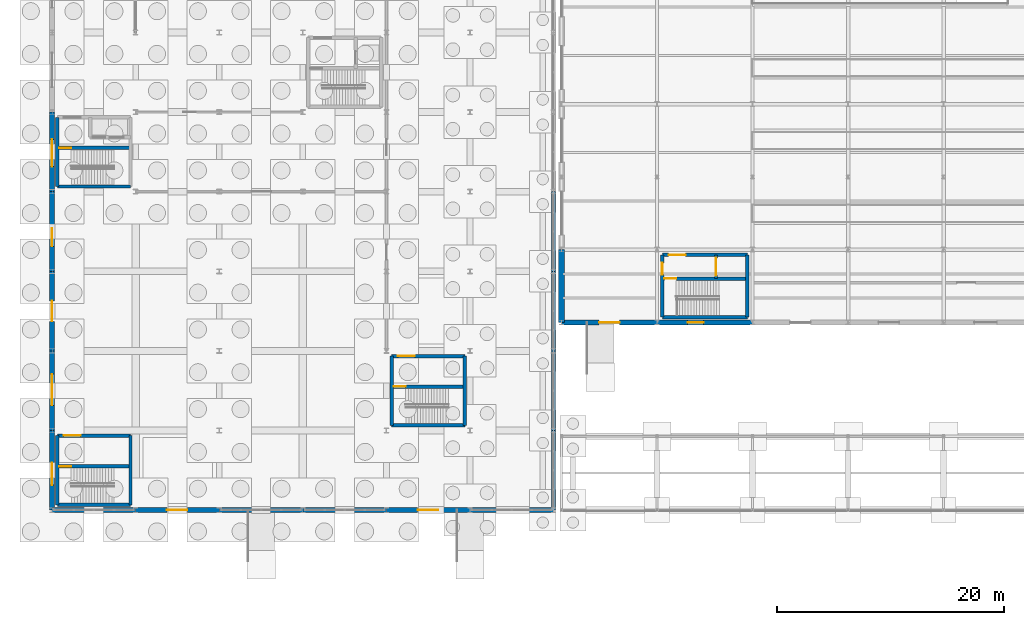
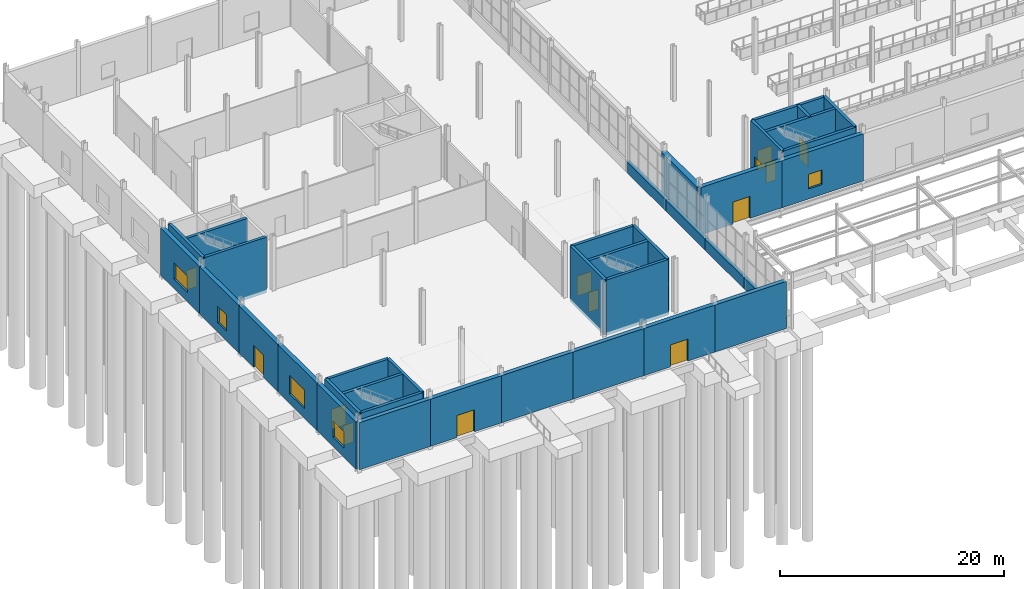
# One storey, part 119 of 139: 37 walls, 13 doors, 5 windows, 18 openings.
"""IFC4 building model written with IfcOpenShell, lengths in metres."""

from ifc_helpers import new_model, si_unit, direction, frame, frame_2d, origin, origin_with_axes, place, context, subcontext, project, spatial, rectangle, extrude, material, layer, layer_set, type_object, element, fill, save


model = new_model("IFC4")

# Units and contexts
model_context = context("Model", 3, precision=1e-05, world=origin(), true_north=direction((0.0, 1.0)))
body_context = subcontext(model_context, "Body", "Model", "MODEL_VIEW")
ifc_project = project(units=[si_unit("LENGTHUNIT", "METRE"), si_unit("AREAUNIT", "SQUARE_METRE"), si_unit("VOLUMEUNIT", "CUBIC_METRE"), si_unit("PLANEANGLEUNIT", "RADIAN"), si_unit("MASSUNIT", "GRAM", prefix="KILO")], contexts=[model_context])

# Site, building, storey
site_placement = place(None, origin())
site = spatial("IfcSite", under=ifc_project, at=site_placement, CompositionType="ELEMENT")
building_placement = place(site_placement, origin())
building = spatial("IfcBuilding", under=site, at=building_placement, Name="Kazenagashi Tramway Depot", CompositionType="ELEMENT")
storey_placement = place(building_placement, origin())
storey = spatial("IfcBuildingStorey", under=building, at=storey_placement, Name="L01", CompositionType="ELEMENT", Elevation=0.0)

# Wall, opening, door
ifc_material_1 = material(Name="Clay Brick Masonry JIS R 1250 Class 1 (20 MPa)", Category="masonry")
ifc_layer_1 = layer(ifc_material_1, 0.43)
ifc_layer_set_1 = layer_set([ifc_layer_1], Name="Clay Brick Masonry JIS R 1250 Class 1 (20 MPa)")
wall_type_1 = type_object("IfcWallType", Name="W-BK1", PredefinedType="SOLIDWALL", material=ifc_layer_set_1)
wall_1_placement = place(storey_placement, frame((44.8, 16.5, 0.0), z_axis=(0.0, 0.0, 1.0), x_axis=(1.0, 0.0, 0.0)))
wall_1 = element("IfcWall", 1, at=wall_1_placement, inside=storey, type_object=wall_type_1, Name="Exterior Brick Wall W-BK1 EWALL-0077", PredefinedType="SOLIDWALL", context=body_context, shape_type="SweptSolid", body=[
    extrude(rectangle(XDim=8.4, YDim=0.43, at=frame_2d((4.2, 0.0))), origin(), (0.0, 0.0, 1.0), 5.14),
])
opening_1_placement = place(wall_1_placement, frame((3.3, 0.0, 0.0)))
opening_1 = element("IfcOpeningElement", 2, at=opening_1_placement, cuts=wall_1, Name="Opening D-007", PredefinedType="OPENING", context=body_context, shape_type="SweptSolid", body=[
    extrude(rectangle(XDim=1.8, YDim=2.4, at=frame_2d((0.9, 1.2))), frame((0.0, 0.225, 0.0), z_axis=(0.0, -1.0, 0.0), x_axis=(1.0, 0.0, 0.0)), (0.0, 0.0, 1.0), 0.45),
])
ifc_material_2 = material(Name="Anodised Aluminium and Laminated Glass", Category="aluminium")
door_type_1 = type_object("IfcDoorType", Name="DT-01", OperationType="NOTDEFINED", PredefinedType="DOOR", material=ifc_material_2)
door_1_placement = place(opening_1_placement, frame((1.8, 0.0, 0.0), z_axis=(0.0, 0.0, 1.0), x_axis=(-1.0, 0.0, 0.0)))
door_1 = element("IfcDoor", 3, at=door_1_placement, inside=storey, type_object=door_type_1, Name="Overhaul Hall Final Exit Door D-007", OperationType="DOUBLE_DOOR_SINGLE_SWING", OverallHeight=2.4, OverallWidth=1.8, PredefinedType="DOOR", context=body_context, shape_type="SweptSolid", body=[
    extrude(rectangle(XDim=1.8, YDim=2.4, at=frame_2d((0.9, 1.2))), frame((0.0, 0.025, 0.0), z_axis=(0.0, -1.0, 0.0), x_axis=(1.0, 0.0, 0.0)), (0.0, 0.0, 1.0), 0.05),
])
fill(opening_1, door_1)

# Wall, opening, window
wall_2_placement = place(storey_placement, frame((53.2, 16.5, 0.0), z_axis=(0.0, 0.0, 1.0), x_axis=(1.0, 0.0, 0.0)))
wall_2 = element("IfcWall", 4, at=wall_2_placement, inside=storey, type_object=wall_type_1, Name="Exterior Brick Wall W-BK1 EWALL-0079", PredefinedType="SOLIDWALL", context=body_context, shape_type="SweptSolid", body=[
    extrude(rectangle(XDim=8.4, YDim=0.43, at=frame_2d((4.2, 0.0))), origin(), (0.0, 0.0, 1.0), 5.14),
])
opening_2_placement = place(wall_2_placement, frame((2.7, 0.0, 1.1)))
opening_2 = element("IfcOpeningElement", 5, at=opening_2_placement, cuts=wall_2, Name="Opening WN-02", PredefinedType="OPENING", context=body_context, shape_type="SweptSolid", body=[
    extrude(rectangle(XDim=1.4, YDim=1.6, at=frame_2d((0.7, 0.8))), frame((0.0, 0.225, 0.0), z_axis=(0.0, -1.0, 0.0), x_axis=(1.0, 0.0, 0.0)), (0.0, 0.0, 1.0), 0.45),
])
ifc_material_3 = material(Name="Anodised Aluminium and Tempered Low-E Glass", Category="aluminium")
window_type_1 = type_object("IfcWindowType", Name="WN-02", PartitioningType="SINGLE_PANEL", PredefinedType="WINDOW", material=ifc_material_3)
window_1_placement = place(opening_2_placement, origin())
window_1 = element("IfcWindow", 6, at=window_1_placement, inside=storey, type_object=window_type_1, Name="Window WN-02 WIN-0050", OverallHeight=1.6, OverallWidth=1.4, PartitioningType="SINGLE_PANEL", PredefinedType="WINDOW", context=body_context, shape_type="SweptSolid", body=[
    extrude(rectangle(XDim=1.4, YDim=1.6, at=frame_2d((0.7, 0.8))), frame((0.0, 0.03, 0.0), z_axis=(0.0, -1.0, 0.0), x_axis=(1.0, 0.0, 0.0)), (0.0, 0.0, 1.0), 0.06),
])
fill(opening_2, window_1)

# Wall
wall_3_placement = place(storey_placement, origin_with_axes())
element("IfcWall", 7, at=wall_3_placement, inside=storey, type_object=wall_type_1, Name="Exterior Brick Wall W-BK1 EWALL-0181", PredefinedType="SOLIDWALL", context=body_context, shape_type="SweptSolid", body=[
    extrude(rectangle(XDim=7.35, YDim=0.43, at=frame_2d((3.675, 0.0))), origin(), (0.0, 0.0, 1.0), 5.15),
])

# Wall, opening, door
wall_4_placement = place(storey_placement, frame((7.35, 0.0, 0.0), z_axis=(0.0, 0.0, 1.0), x_axis=(1.0, 0.0, 0.0)))
wall_4 = element("IfcWall", 8, at=wall_4_placement, inside=storey, type_object=wall_type_1, Name="Exterior Brick Wall W-BK1 EWALL-0184", PredefinedType="SOLIDWALL", context=body_context, shape_type="SweptSolid", body=[
    extrude(rectangle(XDim=7.35, YDim=0.43, at=frame_2d((3.675, 0.0))), origin(), (0.0, 0.0, 1.0), 5.15),
])
opening_3_placement = place(wall_4_placement, frame((2.75, 0.0, 0.0)))
opening_3 = element("IfcOpeningElement", 9, at=opening_3_placement, cuts=wall_4, Name="Opening D-015", PredefinedType="OPENING", context=body_context, shape_type="SweptSolid", body=[
    extrude(rectangle(XDim=1.8, YDim=2.4, at=frame_2d((0.9, 1.2))), frame((0.0, 0.225, 0.0), z_axis=(0.0, -1.0, 0.0), x_axis=(1.0, 0.0, 0.0)), (0.0, 0.0, 1.0), 0.45),
])
door_2_placement = place(opening_3_placement, frame((1.8, 0.0, 0.0), z_axis=(0.0, 0.0, 1.0), x_axis=(-1.0, 0.0, 0.0)))
door_2 = element("IfcDoor", 10, at=door_2_placement, inside=storey, type_object=door_type_1, Name="Main Boulevard Entrance and Final Exit Door D-015", OperationType="DOUBLE_DOOR_SINGLE_SWING", OverallHeight=2.4, OverallWidth=1.8, PredefinedType="DOOR", context=body_context, shape_type="SweptSolid", body=[
    extrude(rectangle(XDim=1.8, YDim=2.4, at=frame_2d((0.9, 1.2))), frame((0.0, 0.025, 0.0), z_axis=(0.0, -1.0, 0.0), x_axis=(1.0, 0.0, 0.0)), (0.0, 0.0, 1.0), 0.05),
])
fill(opening_3, door_2)

# Walls
for number, where, z_axis, x_axis, name in (
    (11, (14.7, 0.0, 0.0), (0.0, 0.0, 1.0), (1.0, 0.0, 0.0), "Exterior Brick Wall W-BK1 EWALL-0187"),
    (12, (22.05, 0.0, 0.0), (0.0, 0.0, 1.0), (1.0, 0.0, 0.0), "Exterior Brick Wall W-BK1 EWALL-0190"),
):
    element("IfcWall", number, at=place(storey_placement, frame(where, z_axis=z_axis, x_axis=x_axis)), inside=storey, type_object=wall_type_1, Name=name, PredefinedType="SOLIDWALL", context=body_context, shape_type="SweptSolid", body=[
        extrude(rectangle(XDim=7.35, YDim=0.43, at=frame_2d((3.675, 0.0))), origin(), (0.0, 0.0, 1.0), 5.15),
    ])

# Wall, opening, door
wall_5_placement = place(storey_placement, frame((29.4, 0.0, 0.0), z_axis=(0.0, 0.0, 1.0), x_axis=(1.0, 0.0, 0.0)))
wall_5 = element("IfcWall", 13, at=wall_5_placement, inside=storey, type_object=wall_type_1, Name="Exterior Brick Wall W-BK1 EWALL-0193", PredefinedType="SOLIDWALL", context=body_context, shape_type="SweptSolid", body=[
    extrude(rectangle(XDim=7.35, YDim=0.43, at=frame_2d((3.675, 0.0))), origin(), (0.0, 0.0, 1.0), 5.15),
])
opening_4_placement = place(wall_5_placement, frame((2.75, 0.0, 0.0)))
opening_4 = element("IfcOpeningElement", 14, at=opening_4_placement, cuts=wall_5, Name="Opening D-017", PredefinedType="OPENING", context=body_context, shape_type="SweptSolid", body=[
    extrude(rectangle(XDim=1.8, YDim=2.4, at=frame_2d((0.9, 1.2))), frame((0.0, 0.225, 0.0), z_axis=(0.0, -1.0, 0.0), x_axis=(1.0, 0.0, 0.0)), (0.0, 0.0, 1.0), 0.45),
])
door_3_placement = place(opening_4_placement, frame((1.8, 0.0, 0.0), z_axis=(0.0, 0.0, 1.0), x_axis=(-1.0, 0.0, 0.0)))
door_3 = element("IfcDoor", 15, at=door_3_placement, inside=storey, type_object=door_type_1, Name="Main Boulevard Entrance and Final Exit Door D-017", OperationType="DOUBLE_DOOR_SINGLE_SWING", OverallHeight=2.4, OverallWidth=1.8, PredefinedType="DOOR", context=body_context, shape_type="SweptSolid", body=[
    extrude(rectangle(XDim=1.8, YDim=2.4, at=frame_2d((0.9, 1.2))), frame((0.0, 0.025, 0.0), z_axis=(0.0, -1.0, 0.0), x_axis=(1.0, 0.0, 0.0)), (0.0, 0.0, 1.0), 0.05),
])
fill(opening_4, door_3)

# Wall
wall_6_placement = place(storey_placement, frame((36.75, 0.0, 0.0), z_axis=(0.0, 0.0, 1.0), x_axis=(1.0, 0.0, 0.0)))
element("IfcWall", 16, at=wall_6_placement, inside=storey, type_object=wall_type_1, Name="Exterior Brick Wall W-BK1 EWALL-0196", PredefinedType="SOLIDWALL", context=body_context, shape_type="SweptSolid", body=[
    extrude(rectangle(XDim=7.35, YDim=0.43, at=frame_2d((3.675, 0.0))), origin(), (0.0, 0.0, 1.0), 5.15),
])

# Wall, opening, window
wall_7_placement = place(storey_placement, frame((0.0, 0.0, 0.0), z_axis=(0.0, 0.0, 1.0), x_axis=(0.0, 1.0, 0.0)))
wall_7 = element("IfcWall", 17, at=wall_7_placement, inside=storey, type_object=wall_type_1, Name="Exterior Brick Wall W-BK1 EWALL-0199", PredefinedType="SOLIDWALL", context=body_context, shape_type="SweptSolid", body=[
    extrude(rectangle(XDim=7.0, YDim=0.43, at=frame_2d((3.5, 0.0))), origin(), (0.0, 0.0, 1.0), 5.15),
])
opening_5_placement = place(wall_7_placement, frame((2.2, 0.0, 1.0)))
opening_5 = element("IfcOpeningElement", 18, at=opening_5_placement, cuts=wall_7, Name="Opening WN-38", PredefinedType="OPENING", context=body_context, shape_type="SweptSolid", body=[
    extrude(rectangle(XDim=1.95, YDim=1.8, at=frame_2d((0.975, 0.9))), frame((0.0, 0.225, 0.0), z_axis=(0.0, -1.0, 0.0), x_axis=(1.0, 0.0, 0.0)), (0.0, 0.0, 1.0), 0.45),
])
window_type_2 = type_object("IfcWindowType", Name="WN-38", PartitioningType="SINGLE_PANEL", PredefinedType="WINDOW", material=ifc_material_3)
window_2_placement = place(opening_5_placement, origin())
window_2 = element("IfcWindow", 19, at=window_2_placement, inside=storey, type_object=window_type_2, Name="Window WN-38 WIN-0182", OverallHeight=1.8, OverallWidth=1.95, PartitioningType="SINGLE_PANEL", PredefinedType="WINDOW", context=body_context, shape_type="SweptSolid", body=[
    extrude(rectangle(XDim=1.95, YDim=1.8, at=frame_2d((0.975, 0.9))), frame((0.0, 0.03, 0.0), z_axis=(0.0, -1.0, 0.0), x_axis=(1.0, 0.0, 0.0)), (0.0, 0.0, 1.0), 0.06),
])
fill(opening_5, window_2)

wall_8_placement = place(storey_placement, frame((0.0, 7.0, 0.0), z_axis=(0.0, 0.0, 1.0), x_axis=(0.0, 1.0, 0.0)))
wall_8 = element("IfcWall", 20, at=wall_8_placement, inside=storey, type_object=wall_type_1, Name="Exterior Brick Wall W-BK1 EWALL-0204", PredefinedType="SOLIDWALL", context=body_context, shape_type="SweptSolid", body=[
    extrude(rectangle(XDim=7.0, YDim=0.43, at=frame_2d((3.5, 0.0))), origin(), (0.0, 0.0, 1.0), 5.15),
])
opening_6_placement = place(wall_8_placement, frame((2.2, 0.0, 1.0)))
opening_6 = element("IfcOpeningElement", 21, at=opening_6_placement, cuts=wall_8, Name="Opening WN-43", PredefinedType="OPENING", context=body_context, shape_type="SweptSolid", body=[
    extrude(rectangle(XDim=2.75, YDim=2.05, at=frame_2d((1.375, 1.025))), frame((0.0, 0.225, 0.0), z_axis=(0.0, -1.0, 0.0), x_axis=(1.0, 0.0, 0.0)), (0.0, 0.0, 1.0), 0.45),
])
window_type_3 = type_object("IfcWindowType", Name="WN-43", PartitioningType="SINGLE_PANEL", PredefinedType="WINDOW", material=ifc_material_3)
window_3_placement = place(opening_6_placement, origin())
window_3 = element("IfcWindow", 22, at=window_3_placement, inside=storey, type_object=window_type_3, Name="Window WN-43 WIN-0187", OverallHeight=2.05, OverallWidth=2.75, PartitioningType="SINGLE_PANEL", PredefinedType="WINDOW", context=body_context, shape_type="SweptSolid", body=[
    extrude(rectangle(XDim=2.75, YDim=2.05, at=frame_2d((1.375, 1.025))), frame((0.0, 0.03, 0.0), z_axis=(0.0, -1.0, 0.0), x_axis=(1.0, 0.0, 0.0)), (0.0, 0.0, 1.0), 0.06),
])
fill(opening_6, window_3)

# Wall, opening, door
wall_9_placement = place(storey_placement, frame((0.0, 14.0, 0.0), z_axis=(0.0, 0.0, 1.0), x_axis=(0.0, 1.0, 0.0)))
wall_9 = element("IfcWall", 23, at=wall_9_placement, inside=storey, type_object=wall_type_1, Name="Exterior Brick Wall W-BK1 EWALL-0209", PredefinedType="SOLIDWALL", context=body_context, shape_type="SweptSolid", body=[
    extrude(rectangle(XDim=7.0, YDim=0.43, at=frame_2d((3.5, 0.0))), origin(), (0.0, 0.0, 1.0), 5.15),
])
opening_7_placement = place(wall_9_placement, frame((2.6, 0.0, 0.0)))
opening_7 = element("IfcOpeningElement", 24, at=opening_7_placement, cuts=wall_9, Name="Opening D-019", PredefinedType="OPENING", context=body_context, shape_type="SweptSolid", body=[
    extrude(rectangle(XDim=1.8, YDim=2.4, at=frame_2d((0.9, 1.2))), frame((0.0, 0.225, 0.0), z_axis=(0.0, -1.0, 0.0), x_axis=(1.0, 0.0, 0.0)), (0.0, 0.0, 1.0), 0.45),
])
door_4_placement = place(opening_7_placement, origin())
door_4 = element("IfcDoor", 25, at=door_4_placement, inside=storey, type_object=door_type_1, Name="West Avenue Stair Discharge Final Exit Door D-019", OperationType="DOUBLE_DOOR_SINGLE_SWING", OverallHeight=2.4, OverallWidth=1.8, PredefinedType="DOOR", context=body_context, shape_type="SweptSolid", body=[
    extrude(rectangle(XDim=1.8, YDim=2.4, at=frame_2d((0.9, 1.2))), frame((0.0, 0.025, 0.0), z_axis=(0.0, -1.0, 0.0), x_axis=(1.0, 0.0, 0.0)), (0.0, 0.0, 1.0), 0.05),
])
fill(opening_7, door_4)

# Wall, opening, window
wall_10_placement = place(storey_placement, frame((0.0, 21.0, 0.0), z_axis=(0.0, 0.0, 1.0), x_axis=(0.0, 1.0, 0.0)))
wall_10 = element("IfcWall", 26, at=wall_10_placement, inside=storey, type_object=wall_type_1, Name="Exterior Brick Wall W-BK1 EWALL-0214", PredefinedType="SOLIDWALL", context=body_context, shape_type="SweptSolid", body=[
    extrude(rectangle(XDim=7.0, YDim=0.43, at=frame_2d((3.5, 0.0))), origin(), (0.0, 0.0, 1.0), 5.15),
])
opening_8_placement = place(wall_10_placement, frame((2.2, 0.0, 1.0)))
opening_8 = element("IfcOpeningElement", 27, at=opening_8_placement, cuts=wall_10, Name="Opening WN-04", PredefinedType="OPENING", context=body_context, shape_type="SweptSolid", body=[
    extrude(rectangle(XDim=1.6, YDim=1.8, at=frame_2d((0.8, 0.9))), frame((0.0, 0.225, 0.0), z_axis=(0.0, -1.0, 0.0), x_axis=(1.0, 0.0, 0.0)), (0.0, 0.0, 1.0), 0.45),
])
window_type_4 = type_object("IfcWindowType", Name="WN-04", PartitioningType="SINGLE_PANEL", PredefinedType="WINDOW", material=ifc_material_3)
window_4_placement = place(opening_8_placement, origin())
window_4 = element("IfcWindow", 28, at=window_4_placement, inside=storey, type_object=window_type_4, Name="Window WN-04 WIN-0196", OverallHeight=1.8, OverallWidth=1.6, PartitioningType="SINGLE_PANEL", PredefinedType="WINDOW", context=body_context, shape_type="SweptSolid", body=[
    extrude(rectangle(XDim=1.6, YDim=1.8, at=frame_2d((0.8, 0.9))), frame((0.0, 0.03, 0.0), z_axis=(0.0, -1.0, 0.0), x_axis=(1.0, 0.0, 0.0)), (0.0, 0.0, 1.0), 0.06),
])
fill(opening_8, window_4)

wall_11_placement = place(storey_placement, frame((0.0, 28.0, 0.0), z_axis=(0.0, 0.0, 1.0), x_axis=(0.0, 1.0, 0.0)))
wall_11 = element("IfcWall", 29, at=wall_11_placement, inside=storey, type_object=wall_type_1, Name="Exterior Brick Wall W-BK1 EWALL-0219", PredefinedType="SOLIDWALL", context=body_context, shape_type="SweptSolid", body=[
    extrude(rectangle(XDim=7.0, YDim=0.43, at=frame_2d((3.5, 0.0))), origin(), (0.0, 0.0, 1.0), 5.15),
])
opening_9_placement = place(wall_11_placement, frame((2.2, 0.0, 1.0)))
opening_9 = element("IfcOpeningElement", 30, at=opening_9_placement, cuts=wall_11, Name="Opening WN-09", PredefinedType="OPENING", context=body_context, shape_type="SweptSolid", body=[
    extrude(rectangle(XDim=2.4, YDim=1.8, at=frame_2d((1.2, 0.9))), frame((0.0, 0.225, 0.0), z_axis=(0.0, -1.0, 0.0), x_axis=(1.0, 0.0, 0.0)), (0.0, 0.0, 1.0), 0.45),
])
window_type_5 = type_object("IfcWindowType", Name="WN-09", PartitioningType="SINGLE_PANEL", PredefinedType="WINDOW", material=ifc_material_3)
window_5_placement = place(opening_9_placement, origin())
window_5 = element("IfcWindow", 31, at=window_5_placement, inside=storey, type_object=window_type_5, Name="Window WN-09 WIN-0201", OverallHeight=1.8, OverallWidth=2.4, PartitioningType="SINGLE_PANEL", PredefinedType="WINDOW", context=body_context, shape_type="SweptSolid", body=[
    extrude(rectangle(XDim=2.4, YDim=1.8, at=frame_2d((1.2, 0.9))), frame((0.0, 0.03, 0.0), z_axis=(0.0, -1.0, 0.0), x_axis=(1.0, 0.0, 0.0)), (0.0, 0.0, 1.0), 0.06),
])
fill(opening_9, window_5)

# Walls
ifc_layer_2 = layer(ifc_material_1, 0.36)
ifc_layer_set_2 = layer_set([ifc_layer_2], Name="Clay Brick Masonry JIS R 1250 Class 1 (20 MPa)")
wall_type_2 = type_object("IfcWallType", Name="W-BK2", PredefinedType="SOLIDWALL", material=ifc_layer_set_2)
for number, where, z_axis, x_axis, name in (
    (32, (44.1, 0.0, 0.0), (0.0, 0.0, 1.0), (0.0, 1.0, 0.0), "Exterior Brick Wall W-BK2 EWALL-0314"),
    (33, (44.1, 7.0, 0.0), (0.0, 0.0, 1.0), (0.0, 1.0, 0.0), "Exterior Brick Wall W-BK2 EWALL-0315"),
    (34, (44.1, 14.0, 0.0), (0.0, 0.0, 1.0), (0.0, 1.0, 0.0), "Exterior Brick Wall W-BK2 EWALL-0316"),
    (35, (44.1, 21.0, 0.0), (0.0, 0.0, 1.0), (0.0, 1.0, 0.0), "Exterior Brick Wall W-BK2 EWALL-0318"),
):
    element("IfcWall", number, at=place(storey_placement, frame(where, z_axis=z_axis, x_axis=x_axis)), inside=storey, type_object=wall_type_2, Name=name, PredefinedType="SOLIDWALL", context=body_context, shape_type="SweptSolid", body=[
        extrude(rectangle(XDim=7.0, YDim=0.36, at=frame_2d((3.5, 0.0))), origin(), (0.0, 0.0, 1.0), 1.2),
    ])
ifc_material_4 = material(Name="Clinker Brick Masonry JIS R 1250 Class 1 (24 MPa)", Category="masonry")
ifc_layer_3 = layer(ifc_material_4, 0.54)
ifc_layer_set_3 = layer_set([ifc_layer_3], Name="Clinker Brick Masonry JIS R 1250 Class 1 (24 MPa)")
wall_type_3 = type_object("IfcWallType", Name="W-BK4", PredefinedType="SOLIDWALL", material=ifc_layer_set_3)
wall_12_placement = place(storey_placement, frame((44.8, 16.5, 0.0), z_axis=(0.0, 0.0, 1.0), x_axis=(0.0, 1.0, 0.0)))
element("IfcWall", 36, at=wall_12_placement, inside=storey, type_object=wall_type_3, Name="Exterior Brick Wall W-BK4 EWALL-0069", PredefinedType="SOLIDWALL", context=body_context, shape_type="SweptSolid", body=[
    extrude(rectangle(XDim=6.4, YDim=0.54, at=frame_2d((3.2, 0.0))), origin(), (0.0, 0.0, 1.0), 5.14),
])
ifc_material_5 = material(Name="Concrete Fc36", Category="concrete")
ifc_layer_4 = layer(ifc_material_5, 0.3)
ifc_layer_set_4 = layer_set([ifc_layer_4], Name="Concrete Fc36")
wall_type_4 = type_object("IfcWallType", Name="W-RC1", PredefinedType="SHEAR", material=ifc_layer_set_4)
wall_13_placement = place(storey_placement, frame((0.46, 28.46, -0.35), z_axis=(0.0, 0.0, 1.0), x_axis=(1.0, 0.0, 0.0)))
element("IfcWall", 37, at=wall_13_placement, inside=storey, type_object=wall_type_4, Name="Core Shear Wall W-RC1 IWALL-0013", PredefinedType="SHEAR", context=body_context, shape_type="SweptSolid", body=[
    extrude(rectangle(XDim=6.43, YDim=0.3, at=frame_2d((3.215, 0.0))), origin(), (0.0, 0.0, 1.0), 6.07),
])
wall_14_placement = place(storey_placement, frame((0.46, 28.46, -0.35), z_axis=(0.0, 0.0, 1.0), x_axis=(0.0, 1.0, 0.0)))
element("IfcWall", 38, at=wall_14_placement, inside=storey, type_object=wall_type_4, Name="Core Shear Wall W-RC1 IWALL-0015", PredefinedType="SHEAR", context=body_context, shape_type="SweptSolid", body=[
    extrude(rectangle(XDim=6.08, YDim=0.3, at=frame_2d((3.04, 0.0))), origin(), (0.0, 0.0, 1.0), 6.07),
])

# Wall, opening, door
wall_15_placement = place(storey_placement, frame((0.46, 31.85, -0.35), z_axis=(0.0, 0.0, 1.0), x_axis=(1.0, 0.0, 0.0)))
wall_15 = element("IfcWall", 39, at=wall_15_placement, inside=storey, type_object=wall_type_4, Name="Core Shear Wall W-RC1 IWALL-0017", PredefinedType="SHEAR", context=body_context, shape_type="SweptSolid", body=[
    extrude(rectangle(XDim=6.43, YDim=0.3, at=frame_2d((3.215, 0.0))), origin(), (0.0, 0.0, 1.0), 6.07),
])
opening_10_placement = place(wall_15_placement, frame((0.185, 0.0, 0.35)))
opening_10 = element("IfcOpeningElement", 40, at=opening_10_placement, cuts=wall_15, Name="Opening D-051", PredefinedType="OPENING", context=body_context, shape_type="SweptSolid", body=[
    extrude(rectangle(XDim=1.05, YDim=2.15, at=frame_2d((0.525, 1.075))), frame((0.0, 0.16, 0.0), z_axis=(0.0, -1.0, 0.0), x_axis=(1.0, 0.0, 0.0)), (0.0, 0.0, 1.0), 0.32),
])
ifc_material_6 = material(Name="Galvanised Fire-Rated Steel Door", Category="steel")
door_type_2 = type_object("IfcDoorType", Name="DT-07", OperationType="NOTDEFINED", PredefinedType="DOOR", material=ifc_material_6)
door_5_placement = place(opening_10_placement, origin())
door_5 = element("IfcDoor", 41, at=door_5_placement, inside=storey, type_object=door_type_2, Name="Interior Door D-051", OperationType="SINGLE_SWING_RIGHT", OverallHeight=2.15, OverallWidth=1.05, PredefinedType="DOOR", context=body_context, shape_type="SweptSolid", body=[
    extrude(rectangle(XDim=1.05, YDim=2.15, at=frame_2d((0.525, 1.075))), frame((0.0, 0.025, 0.0), z_axis=(0.0, -1.0, 0.0), x_axis=(1.0, 0.0, 0.0)), (0.0, 0.0, 1.0), 0.05),
])
fill(opening_10, door_5)

# Wall
wall_16_placement = place(storey_placement, frame((29.86, 7.46, -0.35), z_axis=(0.0, 0.0, 1.0), x_axis=(1.0, 0.0, 0.0)))
element("IfcWall", 42, at=wall_16_placement, inside=storey, type_object=wall_type_4, Name="Core Shear Wall W-RC1 IWALL-0078", PredefinedType="SHEAR", context=body_context, shape_type="SweptSolid", body=[
    extrude(rectangle(XDim=6.43, YDim=0.3, at=frame_2d((3.215, 0.0))), origin(), (0.0, 0.0, 1.0), 6.07),
])

# Wall, opening, door
wall_17_placement = place(storey_placement, frame((29.86, 13.54, -0.35), z_axis=(0.0, 0.0, 1.0), x_axis=(1.0, 0.0, 0.0)))
wall_17 = element("IfcWall", 43, at=wall_17_placement, inside=storey, type_object=wall_type_4, Name="Core Shear Wall W-RC1 IWALL-0079", PredefinedType="SHEAR", context=body_context, shape_type="SweptSolid", body=[
    extrude(rectangle(XDim=6.43, YDim=0.3, at=frame_2d((3.215, 0.0))), origin(), (0.0, 0.0, 1.0), 6.07),
])
opening_11_placement = place(wall_17_placement, frame((0.55, 0.0, 0.35)))
opening_11 = element("IfcOpeningElement", 44, at=opening_11_placement, cuts=wall_17, Name="Opening D-072", PredefinedType="OPENING", context=body_context, shape_type="SweptSolid", body=[
    extrude(rectangle(XDim=1.5, YDim=2.2, at=frame_2d((0.75, 1.1))), frame((0.0, 0.16, 0.0), z_axis=(0.0, -1.0, 0.0), x_axis=(1.0, 0.0, 0.0)), (0.0, 0.0, 1.0), 0.32),
])
door_type_3 = type_object("IfcDoorType", Name="DT-05", OperationType="NOTDEFINED", PredefinedType="DOOR", material=ifc_material_6)
door_6_placement = place(opening_11_placement, origin())
door_6 = element("IfcDoor", 45, at=door_6_placement, inside=storey, type_object=door_type_3, Name="Interior Door D-072", OperationType="DOUBLE_DOOR_SINGLE_SWING", OverallHeight=2.2, OverallWidth=1.5, PredefinedType="DOOR", context=body_context, shape_type="SweptSolid", body=[
    extrude(rectangle(XDim=1.5, YDim=2.2, at=frame_2d((0.75, 1.1))), frame((0.0, 0.025, 0.0), z_axis=(0.0, -1.0, 0.0), x_axis=(1.0, 0.0, 0.0)), (0.0, 0.0, 1.0), 0.05),
])
fill(opening_11, door_6)

# Walls
for number, where, z_axis, x_axis, name in (
    (46, (29.86, 7.46, -0.35), (0.0, 0.0, 1.0), (0.0, 1.0, 0.0), "Core Shear Wall W-RC1 IWALL-0080"),
    (47, (36.29, 7.46, -0.35), (0.0, 0.0, 1.0), (0.0, 1.0, 0.0), "Core Shear Wall W-RC1 IWALL-0081"),
):
    element("IfcWall", number, at=place(storey_placement, frame(where, z_axis=z_axis, x_axis=x_axis)), inside=storey, type_object=wall_type_4, Name=name, PredefinedType="SHEAR", context=body_context, shape_type="SweptSolid", body=[
        extrude(rectangle(XDim=6.08, YDim=0.3, at=frame_2d((3.04, 0.0))), origin(), (0.0, 0.0, 1.0), 6.07),
    ])

# Wall, opening, door
wall_18_placement = place(storey_placement, frame((29.86, 10.85, -0.35), z_axis=(0.0, 0.0, 1.0), x_axis=(1.0, 0.0, 0.0)))
wall_18 = element("IfcWall", 48, at=wall_18_placement, inside=storey, type_object=wall_type_4, Name="Core Shear Wall W-RC1 IWALL-0082", PredefinedType="SHEAR", context=body_context, shape_type="SweptSolid", body=[
    extrude(rectangle(XDim=6.43, YDim=0.3, at=frame_2d((3.215, 0.0))), origin(), (0.0, 0.0, 1.0), 6.07),
])
opening_12_placement = place(wall_18_placement, frame((0.185, 0.0, 0.35)))
opening_12 = element("IfcOpeningElement", 49, at=opening_12_placement, cuts=wall_18, Name="Opening D-071", PredefinedType="OPENING", context=body_context, shape_type="SweptSolid", body=[
    extrude(rectangle(XDim=1.05, YDim=2.15, at=frame_2d((0.525, 1.075))), frame((0.0, 0.16, 0.0), z_axis=(0.0, -1.0, 0.0), x_axis=(1.0, 0.0, 0.0)), (0.0, 0.0, 1.0), 0.32),
])
door_7_placement = place(opening_12_placement, origin())
door_7 = element("IfcDoor", 50, at=door_7_placement, inside=storey, type_object=door_type_2, Name="Interior Door D-071", OperationType="SINGLE_SWING_RIGHT", OverallHeight=2.15, OverallWidth=1.05, PredefinedType="DOOR", context=body_context, shape_type="SweptSolid", body=[
    extrude(rectangle(XDim=1.05, YDim=2.15, at=frame_2d((0.525, 1.075))), frame((0.0, 0.025, 0.0), z_axis=(0.0, -1.0, 0.0), x_axis=(1.0, 0.0, 0.0)), (0.0, 0.0, 1.0), 0.05),
])
fill(opening_12, door_7)

# Wall
wall_19_placement = place(storey_placement, frame((0.46, 0.46, -0.35), z_axis=(0.0, 0.0, 1.0), x_axis=(1.0, 0.0, 0.0)))
element("IfcWall", 51, at=wall_19_placement, inside=storey, type_object=wall_type_4, Name="Core Shear Wall W-RC1 IWALL-0098", PredefinedType="SHEAR", context=body_context, shape_type="SweptSolid", body=[
    extrude(rectangle(XDim=6.43, YDim=0.3, at=frame_2d((3.215, 0.0))), origin(), (0.0, 0.0, 1.0), 6.07),
])

# Wall, opening, door
wall_20_placement = place(storey_placement, frame((0.46, 6.54, -0.35), z_axis=(0.0, 0.0, 1.0), x_axis=(1.0, 0.0, 0.0)))
wall_20 = element("IfcWall", 52, at=wall_20_placement, inside=storey, type_object=wall_type_4, Name="Core Shear Wall W-RC1 IWALL-0099", PredefinedType="SHEAR", context=body_context, shape_type="SweptSolid", body=[
    extrude(rectangle(XDim=6.43, YDim=0.3, at=frame_2d((3.215, 0.0))), origin(), (0.0, 0.0, 1.0), 6.07),
])
opening_13_placement = place(wall_20_placement, frame((0.55, 0.0, 0.35)))
opening_13 = element("IfcOpeningElement", 53, at=opening_13_placement, cuts=wall_20, Name="Opening D-080", PredefinedType="OPENING", context=body_context, shape_type="SweptSolid", body=[
    extrude(rectangle(XDim=1.5, YDim=2.2, at=frame_2d((0.75, 1.1))), frame((0.0, 0.16, 0.0), z_axis=(0.0, -1.0, 0.0), x_axis=(1.0, 0.0, 0.0)), (0.0, 0.0, 1.0), 0.32),
])
door_8_placement = place(opening_13_placement, origin())
door_8 = element("IfcDoor", 54, at=door_8_placement, inside=storey, type_object=door_type_3, Name="Interior Door D-080", OperationType="DOUBLE_DOOR_SINGLE_SWING", OverallHeight=2.2, OverallWidth=1.5, PredefinedType="DOOR", context=body_context, shape_type="SweptSolid", body=[
    extrude(rectangle(XDim=1.5, YDim=2.2, at=frame_2d((0.75, 1.1))), frame((0.0, 0.025, 0.0), z_axis=(0.0, -1.0, 0.0), x_axis=(1.0, 0.0, 0.0)), (0.0, 0.0, 1.0), 0.05),
])
fill(opening_13, door_8)

# Walls
for number, where, z_axis, x_axis, name in (
    (55, (0.46, 0.46, -0.35), (0.0, 0.0, 1.0), (0.0, 1.0, 0.0), "Core Shear Wall W-RC1 IWALL-0100"),
    (56, (6.89, 0.46, -0.35), (0.0, 0.0, 1.0), (0.0, 1.0, 0.0), "Core Shear Wall W-RC1 IWALL-0101"),
):
    element("IfcWall", number, at=place(storey_placement, frame(where, z_axis=z_axis, x_axis=x_axis)), inside=storey, type_object=wall_type_4, Name=name, PredefinedType="SHEAR", context=body_context, shape_type="SweptSolid", body=[
        extrude(rectangle(XDim=6.08, YDim=0.3, at=frame_2d((3.04, 0.0))), origin(), (0.0, 0.0, 1.0), 6.07),
    ])

# Wall, opening, door
wall_21_placement = place(storey_placement, frame((0.46, 3.85, -0.35), z_axis=(0.0, 0.0, 1.0), x_axis=(1.0, 0.0, 0.0)))
wall_21 = element("IfcWall", 57, at=wall_21_placement, inside=storey, type_object=wall_type_4, Name="Core Shear Wall W-RC1 IWALL-0102", PredefinedType="SHEAR", context=body_context, shape_type="SweptSolid", body=[
    extrude(rectangle(XDim=6.43, YDim=0.3, at=frame_2d((3.215, 0.0))), origin(), (0.0, 0.0, 1.0), 6.07),
])
opening_14_placement = place(wall_21_placement, frame((0.185, 0.0, 0.35)))
opening_14 = element("IfcOpeningElement", 58, at=opening_14_placement, cuts=wall_21, Name="Opening D-079", PredefinedType="OPENING", context=body_context, shape_type="SweptSolid", body=[
    extrude(rectangle(XDim=1.05, YDim=2.15, at=frame_2d((0.525, 1.075))), frame((0.0, 0.16, 0.0), z_axis=(0.0, -1.0, 0.0), x_axis=(1.0, 0.0, 0.0)), (0.0, 0.0, 1.0), 0.32),
])
door_9_placement = place(opening_14_placement, origin())
door_9 = element("IfcDoor", 59, at=door_9_placement, inside=storey, type_object=door_type_2, Name="Interior Door D-079", OperationType="SINGLE_SWING_RIGHT", OverallHeight=2.15, OverallWidth=1.05, PredefinedType="DOOR", context=body_context, shape_type="SweptSolid", body=[
    extrude(rectangle(XDim=1.05, YDim=2.15, at=frame_2d((0.525, 1.075))), frame((0.0, 0.025, 0.0), z_axis=(0.0, -1.0, 0.0), x_axis=(1.0, 0.0, 0.0)), (0.0, 0.0, 1.0), 0.05),
])
fill(opening_14, door_9)

# Wall
wall_22_placement = place(storey_placement, frame((53.66, 16.96, 0.0), z_axis=(0.0, 0.0, 1.0), x_axis=(1.0, 0.0, 0.0)))
element("IfcWall", 60, at=wall_22_placement, inside=storey, type_object=wall_type_4, Name="Core Shear Wall W-RC1 IWALL-0129", PredefinedType="SHEAR", context=body_context, shape_type="SweptSolid", body=[
    extrude(rectangle(XDim=7.48, YDim=0.3, at=frame_2d((3.74, 0.0))), origin(), (0.0, 0.0, 1.0), 5.72),
])

# Wall, opening, door
wall_23_placement = place(storey_placement, frame((53.66, 22.44, 0.0), z_axis=(0.0, 0.0, 1.0), x_axis=(1.0, 0.0, 0.0)))
wall_23 = element("IfcWall", 61, at=wall_23_placement, inside=storey, type_object=wall_type_4, Name="Core Shear Wall W-RC1 IWALL-0130", PredefinedType="SHEAR", context=body_context, shape_type="SweptSolid", body=[
    extrude(rectangle(XDim=7.48, YDim=0.3, at=frame_2d((3.74, 0.0))), origin(), (0.0, 0.0, 1.0), 5.72),
])
opening_15_placement = place(wall_23_placement, frame((0.55, 0.0, 0.0)))
opening_15 = element("IfcOpeningElement", 62, at=opening_15_placement, cuts=wall_23, Name="Opening D-092", PredefinedType="OPENING", context=body_context, shape_type="SweptSolid", body=[
    extrude(rectangle(XDim=1.5, YDim=2.2, at=frame_2d((0.75, 1.1))), frame((0.0, 0.16, 0.0), z_axis=(0.0, -1.0, 0.0), x_axis=(1.0, 0.0, 0.0)), (0.0, 0.0, 1.0), 0.32),
])
door_10_placement = place(opening_15_placement, origin())
door_10 = element("IfcDoor", 63, at=door_10_placement, inside=storey, type_object=door_type_3, Name="Interior Door D-092", OperationType="DOUBLE_DOOR_SINGLE_SWING", OverallHeight=2.2, OverallWidth=1.5, PredefinedType="DOOR", context=body_context, shape_type="SweptSolid", body=[
    extrude(rectangle(XDim=1.5, YDim=2.2, at=frame_2d((0.75, 1.1))), frame((0.0, 0.025, 0.0), z_axis=(0.0, -1.0, 0.0), x_axis=(1.0, 0.0, 0.0)), (0.0, 0.0, 1.0), 0.05),
])
fill(opening_15, door_10)

wall_24_placement = place(storey_placement, frame((53.66, 16.96, 0.0), z_axis=(0.0, 0.0, 1.0), x_axis=(0.0, 1.0, 0.0)))
wall_24 = element("IfcWall", 64, at=wall_24_placement, inside=storey, type_object=wall_type_4, Name="Core Shear Wall W-RC1 IWALL-0131", PredefinedType="SHEAR", context=body_context, shape_type="SweptSolid", body=[
    extrude(rectangle(XDim=5.48, YDim=0.3, at=frame_2d((2.74, 0.0))), origin(), (0.0, 0.0, 1.0), 5.72),
])
opening_16_placement = place(wall_24_placement, frame((3.74, 0.0, 0.0)))
opening_16 = element("IfcOpeningElement", 65, at=opening_16_placement, cuts=wall_24, Name="Opening D-093", PredefinedType="OPENING", context=body_context, shape_type="SweptSolid", body=[
    extrude(rectangle(XDim=1.05, YDim=2.15, at=frame_2d((0.525, 1.075))), frame((0.0, 0.16, 0.0), z_axis=(0.0, -1.0, 0.0), x_axis=(1.0, 0.0, 0.0)), (0.0, 0.0, 1.0), 0.32),
])
door_11_placement = place(opening_16_placement, origin())
door_11 = element("IfcDoor", 66, at=door_11_placement, inside=storey, type_object=door_type_2, Name="Interior Door D-093", OperationType="SINGLE_SWING_RIGHT", OverallHeight=2.15, OverallWidth=1.05, PredefinedType="DOOR", context=body_context, shape_type="SweptSolid", body=[
    extrude(rectangle(XDim=1.05, YDim=2.15, at=frame_2d((0.525, 1.075))), frame((0.0, 0.025, 0.0), z_axis=(0.0, -1.0, 0.0), x_axis=(1.0, 0.0, 0.0)), (0.0, 0.0, 1.0), 0.05),
])
fill(opening_16, door_11)

# Wall
wall_25_placement = place(storey_placement, frame((61.14, 16.96, 0.0), z_axis=(0.0, 0.0, 1.0), x_axis=(0.0, 1.0, 0.0)))
element("IfcWall", 67, at=wall_25_placement, inside=storey, type_object=wall_type_4, Name="Core Shear Wall W-RC1 IWALL-0132", PredefinedType="SHEAR", context=body_context, shape_type="SweptSolid", body=[
    extrude(rectangle(XDim=5.48, YDim=0.3, at=frame_2d((2.74, 0.0))), origin(), (0.0, 0.0, 1.0), 5.72),
])

# Wall, opening, door
wall_26_placement = place(storey_placement, frame((53.66, 20.35, 0.0), z_axis=(0.0, 0.0, 1.0), x_axis=(1.0, 0.0, 0.0)))
wall_26 = element("IfcWall", 68, at=wall_26_placement, inside=storey, type_object=wall_type_4, Name="Core Shear Wall W-RC1 IWALL-0133", PredefinedType="SHEAR", context=body_context, shape_type="SweptSolid", body=[
    extrude(rectangle(XDim=7.48, YDim=0.3, at=frame_2d((3.74, 0.0))), origin(), (0.0, 0.0, 1.0), 5.72),
])
opening_17_placement = place(wall_26_placement, frame((0.185, 0.0, 0.0)))
opening_17 = element("IfcOpeningElement", 69, at=opening_17_placement, cuts=wall_26, Name="Opening D-091", PredefinedType="OPENING", context=body_context, shape_type="SweptSolid", body=[
    extrude(rectangle(XDim=1.05, YDim=2.15, at=frame_2d((0.525, 1.075))), frame((0.0, 0.16, 0.0), z_axis=(0.0, -1.0, 0.0), x_axis=(1.0, 0.0, 0.0)), (0.0, 0.0, 1.0), 0.32),
])
door_12_placement = place(opening_17_placement, origin())
door_12 = element("IfcDoor", 70, at=door_12_placement, inside=storey, type_object=door_type_2, Name="Interior Door D-091", OperationType="SINGLE_SWING_RIGHT", OverallHeight=2.15, OverallWidth=1.05, PredefinedType="DOOR", context=body_context, shape_type="SweptSolid", body=[
    extrude(rectangle(XDim=1.05, YDim=2.15, at=frame_2d((0.525, 1.075))), frame((0.0, 0.025, 0.0), z_axis=(0.0, -1.0, 0.0), x_axis=(1.0, 0.0, 0.0)), (0.0, 0.0, 1.0), 0.05),
])
fill(opening_17, door_12)

wall_27_placement = place(storey_placement, frame((58.39, 20.35, 0.0), z_axis=(0.0, 0.0, 1.0), x_axis=(0.0, 1.0, 0.0)))
wall_27 = element("IfcWall", 71, at=wall_27_placement, inside=storey, type_object=wall_type_4, Name="Core Shear Wall W-RC1 IWALL-0134", PredefinedType="SHEAR", context=body_context, shape_type="SweptSolid", body=[
    extrude(rectangle(XDim=2.09, YDim=0.3, at=frame_2d((1.045, 0.0))), origin(), (0.0, 0.0, 1.0), 5.72),
])
opening_18_placement = place(wall_27_placement, frame((0.27, 0.0, 0.0)))
opening_18 = element("IfcOpeningElement", 72, at=opening_18_placement, cuts=wall_27, Name="Opening LD-17", PredefinedType="OPENING", context=body_context, shape_type="SweptSolid", body=[
    extrude(rectangle(XDim=1.55, YDim=2.35, at=frame_2d((0.775, 1.175))), frame((0.0, 0.16, 0.0), z_axis=(0.0, -1.0, 0.0), x_axis=(1.0, 0.0, 0.0)), (0.0, 0.0, 1.0), 0.32),
])
ifc_material_7 = material(Name="Heavy-Duty Freight Lift Landing Door")
door_type_4 = type_object("IfcDoorType", Name="DT-31", OperationType="NOTDEFINED", PredefinedType="DOOR", material=ifc_material_7)
door_13_placement = place(opening_18_placement, origin())
door_13 = element("IfcDoor", 73, at=door_13_placement, inside=storey, type_object=door_type_4, Name="Lift Sliding Landing Door LD-17", OperationType="SLIDING_TO_LEFT", OverallHeight=2.35, OverallWidth=1.55, PredefinedType="DOOR", context=body_context, shape_type="SweptSolid", body=[
    extrude(rectangle(XDim=1.55, YDim=2.35, at=frame_2d((0.775, 1.175))), frame((0.0, 0.025, 0.0), z_axis=(0.0, -1.0, 0.0), x_axis=(1.0, 0.0, 0.0)), (0.0, 0.0, 1.0), 0.05),
])
fill(opening_18, door_13)

save(model, "model.ifc")
